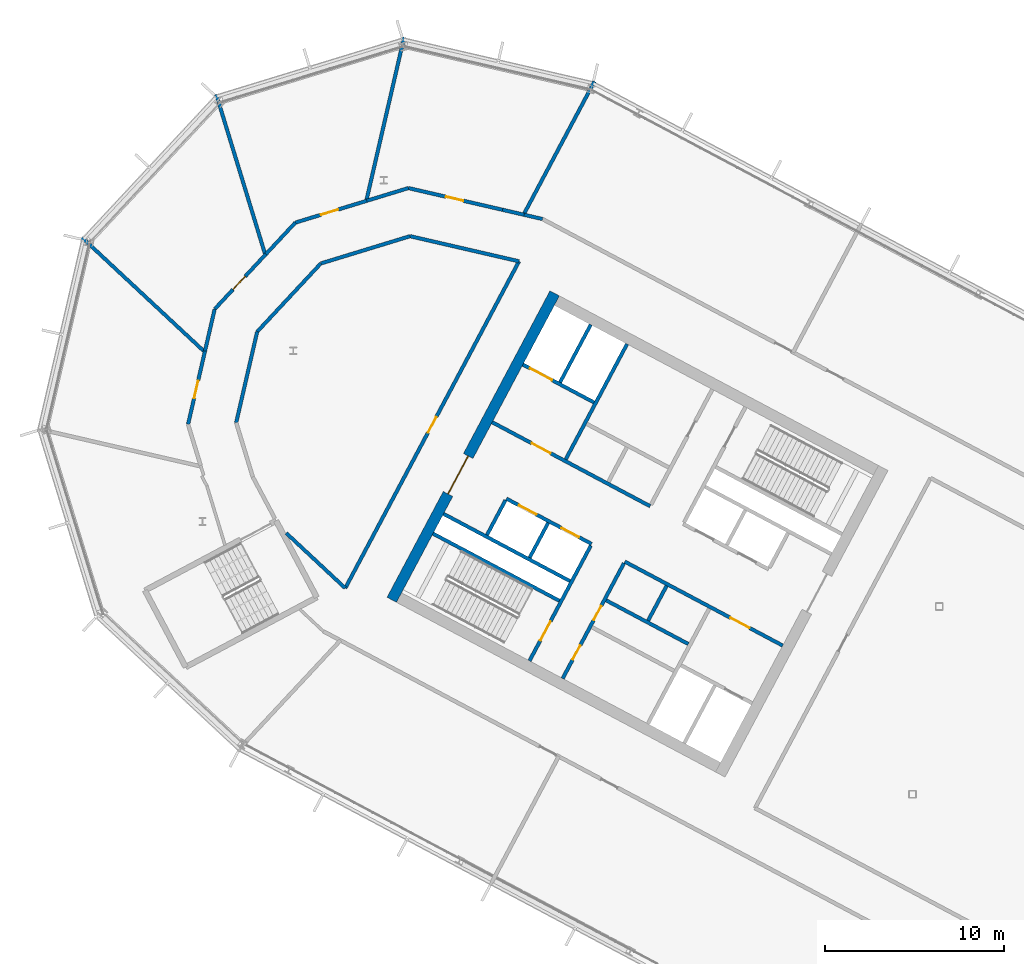
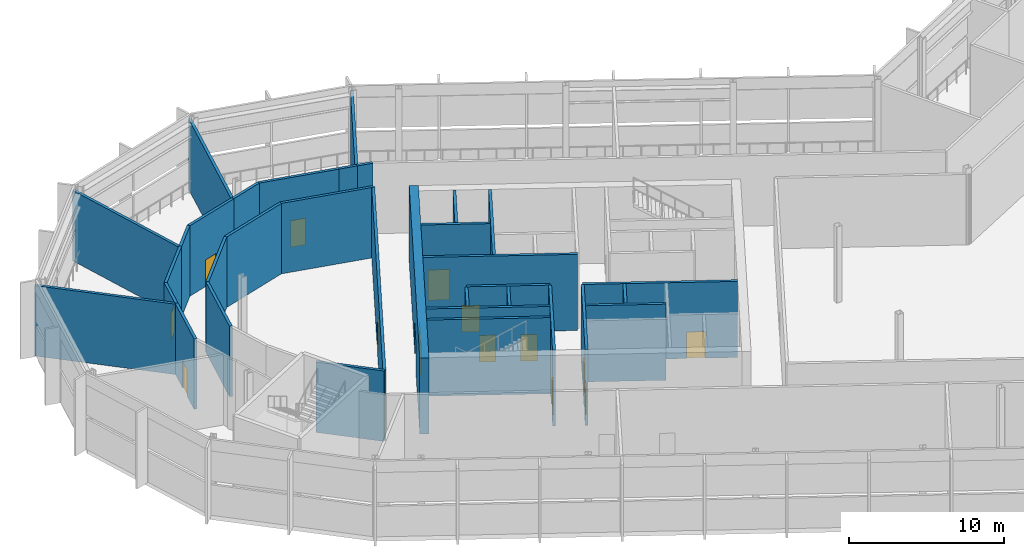
# One storey, part 15 of 33: 34 walls, 14 doors, 14 openings.
"""IFC4 building model written with IfcOpenShell, lengths in metres."""

from ifc_helpers import new_model, si_unit, direction, frame, frame_2d, origin, place, context, subcontext, project, spatial, rectangle, extrude, material, layer, layer_set, type_object, element, fill, save


model = new_model("IFC4")

# Units and contexts
model_context = context("Model", 3, precision=1e-05, world=origin(), true_north=direction((0.0, 1.0)))
body_context = subcontext(model_context, "Body", "Model", "MODEL_VIEW")
ifc_project = project(units=[si_unit("LENGTHUNIT", "METRE"), si_unit("AREAUNIT", "SQUARE_METRE"), si_unit("VOLUMEUNIT", "CUBIC_METRE"), si_unit("PLANEANGLEUNIT", "RADIAN"), si_unit("MASSUNIT", "GRAM", prefix="KILO")], contexts=[model_context])

# Site, building, storey
site_placement = place(None, origin())
site = spatial("IfcSite", under=ifc_project, at=site_placement, CompositionType="ELEMENT")
building_placement = place(site_placement, origin())
building = spatial("IfcBuilding", under=site, at=building_placement, Name="Cormorant Relay Tower", CompositionType="ELEMENT")
storey_placement = place(building_placement, frame((0.0, 0.0, 252.0)))
storey = spatial("IfcBuildingStorey", under=building, at=storey_placement, Name="L56", CompositionType="ELEMENT", Elevation=252.0)

# Walls
ifc_material_1 = material(Name="Concrete 40 MPa", Category="concrete")
ifc_layer_1 = layer(ifc_material_1, 0.199951171875)
ifc_layer_set_1 = layer_set([ifc_layer_1], Name="Core internal wall 200")
wall_type_1 = type_object("IfcWallType", Name="Core internal wall 200", PredefinedType="SOLIDWALL", material=ifc_layer_set_1)
for number, where, z_axis, x_axis, name in (
    (1, (-25.744140625, 11.64990234375, 0.0), (0.0, 0.0, 1.0), (-0.469487830541, -0.882938942948, 0.0), "L56 core A shaft and room wall"),
    (2, (-32.3662109375, 15.1708984375, 0.0), (0.0, 0.0, 1.0), (-0.469487830541, -0.882938942948, 0.0), "L56 core A shaft and room wall"),
):
    element("IfcWall", number, at=place(storey_placement, frame(where, z_axis=z_axis, x_axis=x_axis)), inside=storey, type_object=wall_type_1, Name=name, PredefinedType="SOLIDWALL", context=body_context, shape_type="SweptSolid", body=[
        extrude(rectangle(XDim=2.2001953125, YDim=0.199951171875, at=frame_2d((1.10009765625, 0.0))), origin(), (0.0, 0.0, 1.0), 6.0),
    ])

# Wall, openings, doors
ifc_material_2 = material(Name="Concrete 50 MPa", Category="concrete")
ifc_layer_2 = layer(ifc_material_2, 0.199951171875)
ifc_layer_set_2 = layer_set([ifc_layer_2], Name="Core shaft wall 200")
wall_type_2 = type_object("IfcWallType", Name="Core shaft wall 200", PredefinedType="SHEAR", material=ifc_layer_set_2)
wall_1_placement = place(storey_placement, frame((-28.128173828125, 12.91748046875, 0.0), z_axis=(0.0, 0.0, 1.0), x_axis=(-0.469454336211, -0.882956752176, 0.0)))
wall_1 = element("IfcWall", 3, at=wall_1_placement, inside=storey, type_object=wall_type_2, Name="L56 core A shaft wall", PredefinedType="SHEAR", context=body_context, shape_type="SweptSolid", body=[
    extrude(rectangle(XDim=7.300048828125, YDim=0.199951171875, at=frame_2d((3.64990234375, 0.0))), origin(), (0.0, 0.0, 1.0), 6.0),
])
opening_1_placement = place(wall_1_placement, frame((2.699951171875, 0.0, 0.0)))
opening_1 = element("IfcOpeningElement", 4, at=opening_1_placement, cuts=wall_1, Name="Opening CDD-307", PredefinedType="OPENING", context=body_context, shape_type="SweptSolid", body=[
    extrude(rectangle(XDim=0.89990234375, YDim=2.10009765625, at=frame_2d((0.449951171875, 1.050048828125))), frame((0.0, 0.10986328125, 0.0), z_axis=(0.0, -1.0, 0.0), x_axis=(1.0, 0.0, 0.0)), (0.0, 0.0, 1.0), 0.219970703125),
])
opening_2_placement = place(wall_1_placement, frame((5.199951171875, 0.0, 0.0)))
opening_2 = element("IfcOpeningElement", 5, at=opening_2_placement, cuts=wall_1, Name="Opening CDD-308", PredefinedType="OPENING", context=body_context, shape_type="SweptSolid", body=[
    extrude(rectangle(XDim=0.89990234375, YDim=2.10009765625, at=frame_2d((0.449951171875, 1.050048828125))), frame((0.0, 0.10986328125, 0.0), z_axis=(0.0, -1.0, 0.0), x_axis=(1.0, 0.0, 0.0)), (0.0, 0.0, 1.0), 0.219970703125),
])
ifc_material_3 = material(Name="Steel fire door", Category="steel")
door_type_1 = type_object("IfcDoorType", Name="Core room door 900x2100", OperationType="SINGLE_SWING_LEFT", PredefinedType="DOOR", material=ifc_material_3)
door_1_placement = place(opening_1_placement, origin())
door_1 = element("IfcDoor", 6, at=door_1_placement, inside=storey, type_object=door_type_1, Name="Core room door 900x2100", OperationType="SINGLE_SWING_LEFT", OverallHeight=2.10009765625, OverallWidth=0.89990234375, PredefinedType="DOOR", context=body_context, shape_type="SweptSolid", body=[
    extrude(rectangle(XDim=0.89990234375, YDim=2.10009765625, at=frame_2d((0.449951171875, 1.050048828125))), frame((0.0, 0.02490234375, 0.0), z_axis=(0.0, -1.0, 0.0), x_axis=(1.0, 0.0, 0.0)), (0.0, 0.0, 1.0), 0.050048828125),
])
fill(opening_1, door_1)
door_2_placement = place(opening_2_placement, origin())
door_2 = element("IfcDoor", 7, at=door_2_placement, inside=storey, type_object=door_type_1, Name="Core room door 900x2100", OperationType="SINGLE_SWING_LEFT", OverallHeight=2.10009765625, OverallWidth=0.89990234375, PredefinedType="DOOR", context=body_context, shape_type="SweptSolid", body=[
    extrude(rectangle(XDim=0.89990234375, YDim=2.10009765625, at=frame_2d((0.449951171875, 1.050048828125))), frame((0.0, 0.02490234375, 0.0), z_axis=(0.0, -1.0, 0.0), x_axis=(1.0, 0.0, 0.0)), (0.0, 0.0, 1.0), 0.050048828125),
])
fill(opening_2, door_2)

# Wall, opening, door
wall_2_placement = place(storey_placement, frame((-29.982421875, 13.9033203125, 0.0), z_axis=(0.0, 0.0, 1.0), x_axis=(-0.469454336211, -0.882956752176, 0.0)))
wall_2 = element("IfcWall", 8, at=wall_2_placement, inside=storey, type_object=wall_type_2, Name="L56 core A shaft wall", PredefinedType="SHEAR", context=body_context, shape_type="SweptSolid", body=[
    extrude(rectangle(XDim=7.300048828125, YDim=0.199951171875, at=frame_2d((3.64990234375, 0.0))), origin(), (0.0, 0.0, 1.0), 6.0),
])
opening_3_placement = place(wall_2_placement, frame((4.800048828125, 0.0, 0.0)))
opening_3 = element("IfcOpeningElement", 9, at=opening_3_placement, cuts=wall_2, Name="Opening CDB-030", PredefinedType="OPENING", context=body_context, shape_type="SweptSolid", body=[
    extrude(rectangle(XDim=1.199951171875, YDim=2.10009765625, at=frame_2d((0.60009765625, 1.050048828125))), frame((0.0, 0.10986328125, 0.0), z_axis=(0.0, -1.0, 0.0), x_axis=(1.0, 0.0, 0.0)), (0.0, 0.0, 1.0), 0.219970703125),
])
ifc_material_4 = material(Name="Steel fire door", Category="steel")
door_type_2 = type_object("IfcDoorType", Name="Core stair door 1200x2100", OperationType="SINGLE_SWING_LEFT", PredefinedType="DOOR", material=ifc_material_4)
door_3_placement = place(opening_3_placement, frame((1.199951171875, 0.0, 0.0), z_axis=(0.0, 0.0, 1.0), x_axis=(-1.0, 0.0, 0.0)))
door_3 = element("IfcDoor", 10, at=door_3_placement, inside=storey, type_object=door_type_2, Name="Core stair door 1200x2100", OperationType="SINGLE_SWING_RIGHT", OverallHeight=2.10009765625, OverallWidth=1.199951171875, PredefinedType="DOOR", context=body_context, shape_type="SweptSolid", body=[
    extrude(rectangle(XDim=1.199951171875, YDim=2.10009765625, at=frame_2d((0.60009765625, 1.050048828125))), frame((0.0, 0.02490234375, 0.0), z_axis=(0.0, -1.0, 0.0), x_axis=(1.0, 0.0, 0.0)), (0.0, 0.0, 1.0), 0.050048828125),
])
fill(opening_3, door_3)

# Walls
wall_3_placement = place(storey_placement, frame((-27.955322265625, 25.170654296875, 0.0), z_axis=(0.0, 0.0, 1.0), x_axis=(-0.469480409012, -0.88294288918, 0.0)))
element("IfcWall", 11, at=wall_3_placement, inside=storey, type_object=wall_type_2, Name="L56 core A shaft wall", PredefinedType="SHEAR", context=body_context, shape_type="SweptSolid", body=[
    extrude(rectangle(XDim=7.300048828125, YDim=0.199951171875, at=frame_2d((3.64990234375, 0.0))), origin(), (0.0, 0.0, 1.0), 6.0),
])
wall_4_placement = place(storey_placement, frame((-34.750244140625, 16.4384765625, 0.0), z_axis=(0.0, 0.0, 1.0), x_axis=(-0.469401318492, -0.882984938828, 0.0)))
element("IfcWall", 12, at=wall_4_placement, inside=storey, type_object=wall_type_2, Name="L56 core A shaft wall", PredefinedType="SHEAR", context=body_context, shape_type="SweptSolid", body=[
    extrude(rectangle(XDim=2.199951171875, YDim=0.199951171875, at=frame_2d((1.10009765625, 0.0))), origin(), (0.0, 0.0, 1.0), 6.0),
])
wall_5_placement = place(storey_placement, frame((-29.986083984375, 26.250244140625, 0.0), z_axis=(0.0, 0.0, 1.0), x_axis=(-0.469494272526, -0.882935517501, 0.0)))
element("IfcWall", 13, at=wall_5_placement, inside=storey, type_object=wall_type_2, Name="L56 core A shaft wall", PredefinedType="SHEAR", context=body_context, shape_type="SweptSolid", body=[
    extrude(rectangle(XDim=3.64990234375, YDim=0.199951171875, at=frame_2d((1.824951171875, 0.0))), origin(), (0.0, 0.0, 1.0), 6.0),
])

# Wall, opening, door
wall_6_placement = place(storey_placement, frame((-29.80419921875, 21.906494140625, 0.0), z_axis=(0.0, 0.0, 1.0), x_axis=(-0.882960433586, 0.469447412093, 0.0)))
wall_6 = element("IfcWall", 14, at=wall_6_placement, inside=storey, type_object=wall_type_2, Name="L56 core A shaft wall", PredefinedType="SHEAR", context=body_context, shape_type="SweptSolid", body=[
    extrude(rectangle(XDim=4.5, YDim=0.199951171875, at=frame_2d((2.25, 0.0))), origin(), (0.0, 0.0, 1.0), 6.0),
])
opening_4_placement = place(wall_6_placement, frame((2.64990234375, 0.0, 0.0)))
opening_4 = element("IfcOpeningElement", 15, at=opening_4_placement, cuts=wall_6, Name="Opening LD3-011", PredefinedType="OPENING", context=body_context, shape_type="SweptSolid", body=[
    extrude(rectangle(XDim=1.39990234375, YDim=2.39990234375, at=frame_2d((0.699951171875, 1.199951171875))), frame((0.0, 0.10986328125, 0.0), z_axis=(0.0, -1.0, 0.0), x_axis=(1.0, 0.0, 0.0)), (0.0, 0.0, 1.0), 0.219970703125),
])
ifc_material_5 = material(Name="Stainless steel 316", Category="steel")
door_type_3 = type_object("IfcDoorType", Name="Lift landing door 1400x2400", OperationType="DOUBLE_DOOR_SLIDING", PredefinedType="DOOR", material=ifc_material_5)
door_4_placement = place(opening_4_placement, origin())
door_4 = element("IfcDoor", 16, at=door_4_placement, inside=storey, type_object=door_type_3, Name="SV1 landing door", OperationType="DOUBLE_DOOR_SLIDING", OverallHeight=2.39990234375, OverallWidth=1.39990234375, PredefinedType="DOOR", context=body_context, shape_type="SweptSolid", body=[
    extrude(rectangle(XDim=1.39990234375, YDim=2.39990234375, at=frame_2d((0.699951171875, 1.199951171875))), frame((0.0, 0.02490234375, 0.0), z_axis=(0.0, -1.0, 0.0), x_axis=(1.0, 0.0, 0.0)), (0.0, 0.0, 1.0), 0.050048828125),
])
fill(opening_4, door_4)

wall_7_placement = place(storey_placement, frame((-26.66162109375, 16.1015625, 0.0), z_axis=(0.0, 0.0, 1.0), x_axis=(-0.882940221191, 0.469485426614, 0.0)))
wall_7 = element("IfcWall", 17, at=wall_7_placement, inside=storey, type_object=wall_type_2, Name="L56 core A shaft wall", PredefinedType="SHEAR", context=body_context, shape_type="SweptSolid", body=[
    extrude(rectangle(XDim=10.0, YDim=0.199951171875, at=frame_2d((5.0, 0.0))), origin(), (0.0, 0.0, 1.0), 6.0),
])
opening_5_placement = place(wall_7_placement, frame((6.300048828125, 0.0, 0.0)))
opening_5 = element("IfcOpeningElement", 18, at=opening_5_placement, cuts=wall_7, Name="Opening CDC-022", PredefinedType="OPENING", context=body_context, shape_type="SweptSolid", body=[
    extrude(rectangle(XDim=1.199951171875, YDim=2.10009765625, at=frame_2d((0.60009765625, 1.050048828125))), frame((0.0, 0.10986328125, 0.0), z_axis=(0.0, -1.0, 0.0), x_axis=(1.0, 0.0, 0.0)), (0.0, 0.0, 1.0), 0.219970703125),
])
ifc_material_6 = material(Name="Steel fire door", Category="steel")
door_type_4 = type_object("IfcDoorType", Name="Core lobby door 1200x2100", OperationType="SINGLE_SWING_LEFT", PredefinedType="DOOR", material=ifc_material_6)
door_5_placement = place(opening_5_placement, origin())
door_5 = element("IfcDoor", 19, at=door_5_placement, inside=storey, type_object=door_type_4, Name="Core lobby door 1200x2100", OperationType="SINGLE_SWING_LEFT", OverallHeight=2.10009765625, OverallWidth=1.199951171875, PredefinedType="DOOR", context=body_context, shape_type="SweptSolid", body=[
    extrude(rectangle(XDim=1.199951171875, YDim=2.10009765625, at=frame_2d((0.60009765625, 1.050048828125))), frame((0.0, 0.02490234375, 0.0), z_axis=(0.0, -1.0, 0.0), x_axis=(1.0, 0.0, 0.0)), (0.0, 0.0, 1.0), 0.050048828125),
])
fill(opening_5, door_5)

wall_8_placement = place(storey_placement, frame((-19.251708984375, 8.31103515625, 0.0), z_axis=(0.0, 0.0, 1.0), x_axis=(-0.882955722218, 0.469456273365, 0.0)))
wall_8 = element("IfcWall", 20, at=wall_8_placement, inside=storey, type_object=wall_type_2, Name="L56 core A shaft wall", PredefinedType="SHEAR", context=body_context, shape_type="SweptSolid", body=[
    extrude(rectangle(XDim=10.0, YDim=0.199951171875, at=frame_2d((5.0, 0.0))), origin(), (0.0, 0.0, 1.0), 6.0),
])
opening_6_placement = place(wall_8_placement, frame((2.10009765625, 0.0, 0.0)))
opening_6 = element("IfcOpeningElement", 21, at=opening_6_placement, cuts=wall_8, Name="Opening CDC-021", PredefinedType="OPENING", context=body_context, shape_type="SweptSolid", body=[
    extrude(rectangle(XDim=1.199951171875, YDim=2.10009765625, at=frame_2d((0.60009765625, 1.050048828125))), frame((0.0, 0.10986328125, 0.0), z_axis=(0.0, -1.0, 0.0), x_axis=(1.0, 0.0, 0.0)), (0.0, 0.0, 1.0), 0.219970703125),
])
door_6_placement = place(opening_6_placement, origin())
door_6 = element("IfcDoor", 22, at=door_6_placement, inside=storey, type_object=door_type_4, Name="Core lobby door 1200x2100", OperationType="SINGLE_SWING_RIGHT", OverallHeight=2.10009765625, OverallWidth=1.199951171875, PredefinedType="DOOR", context=body_context, shape_type="SweptSolid", body=[
    extrude(rectangle(XDim=1.199951171875, YDim=2.10009765625, at=frame_2d((0.60009765625, 1.050048828125))), frame((0.0, 0.02490234375, 0.0), z_axis=(0.0, -1.0, 0.0), x_axis=(1.0, 0.0, 0.0)), (0.0, 0.0, 1.0), 0.050048828125),
])
fill(opening_6, door_6)

# Wall, openings, doors
wall_9_placement = place(storey_placement, frame((-29.935302734375, 13.991455078125, 0.0), z_axis=(0.0, 0.0, 1.0), x_axis=(-0.882952937579, 0.469461510692, 0.0)))
wall_9 = element("IfcWall", 23, at=wall_9_placement, inside=storey, type_object=wall_type_2, Name="L56 core A shaft wall", PredefinedType="SHEAR", context=body_context, shape_type="SweptSolid", body=[
    extrude(rectangle(XDim=5.400146484375, YDim=0.199951171875, at=frame_2d((2.7001953125, 0.0))), origin(), (0.0, 0.0, 1.0), 6.0),
])
opening_7_placement = place(wall_9_placement, frame((0.800048828125, 0.0, 0.0)))
opening_7 = element("IfcOpeningElement", 24, at=opening_7_placement, cuts=wall_9, Name="Opening LD1-055", PredefinedType="OPENING", context=body_context, shape_type="SweptSolid", body=[
    extrude(rectangle(XDim=1.10009765625, YDim=2.10009765625, at=frame_2d((0.550048828125, 1.050048828125))), frame((0.0, 0.10986328125, 0.0), z_axis=(0.0, -1.0, 0.0), x_axis=(1.0, 0.0, 0.0)), (0.0, 0.0, 1.0), 0.219970703125),
])
opening_8_placement = place(wall_9_placement, frame((3.5, 0.0, 0.0)))
opening_8 = element("IfcOpeningElement", 25, at=opening_8_placement, cuts=wall_9, Name="Opening LD1-056", PredefinedType="OPENING", context=body_context, shape_type="SweptSolid", body=[
    extrude(rectangle(XDim=1.10009765625, YDim=2.10009765625, at=frame_2d((0.550048828125, 1.050048828125))), frame((0.0, 0.10986328125, 0.0), z_axis=(0.0, -1.0, 0.0), x_axis=(1.0, 0.0, 0.0)), (0.0, 0.0, 1.0), 0.219970703125),
])
ifc_material_7 = material(Name="Stainless steel 316", Category="steel")
door_type_5 = type_object("IfcDoorType", Name="Lift landing door 1100x2100", OperationType="DOUBLE_DOOR_SLIDING", PredefinedType="DOOR", material=ifc_material_7)
door_7_placement = place(opening_7_placement, origin())
door_7 = element("IfcDoor", 26, at=door_7_placement, inside=storey, type_object=door_type_5, Name="MR1 landing door", OperationType="DOUBLE_DOOR_SLIDING", OverallHeight=2.10009765625, OverallWidth=1.10009765625, PredefinedType="DOOR", context=body_context, shape_type="SweptSolid", body=[
    extrude(rectangle(XDim=1.10009765625, YDim=2.10009765625, at=frame_2d((0.550048828125, 1.050048828125))), frame((0.0, 0.02490234375, 0.0), z_axis=(0.0, -1.0, 0.0), x_axis=(1.0, 0.0, 0.0)), (0.0, 0.0, 1.0), 0.050048828125),
])
fill(opening_7, door_7)
door_8_placement = place(opening_8_placement, origin())
door_8 = element("IfcDoor", 27, at=door_8_placement, inside=storey, type_object=door_type_5, Name="MR2 landing door", OperationType="DOUBLE_DOOR_SLIDING", OverallHeight=2.10009765625, OverallWidth=1.10009765625, PredefinedType="DOOR", context=body_context, shape_type="SweptSolid", body=[
    extrude(rectangle(XDim=1.10009765625, YDim=2.10009765625, at=frame_2d((0.550048828125, 1.050048828125))), frame((0.0, 0.02490234375, 0.0), z_axis=(0.0, -1.0, 0.0), x_axis=(1.0, 0.0, 0.0)), (0.0, 0.0, 1.0), 0.050048828125),
])
fill(opening_8, door_8)

# Walls
wall_10_placement = place(storey_placement, frame((-24.5283203125, 8.3984375, 0.0), z_axis=(0.0, 0.0, 1.0), x_axis=(-0.882953967957, 0.469459572775, 0.0)))
element("IfcWall", 28, at=wall_10_placement, inside=storey, type_object=wall_type_2, Name="L56 core A shaft wall", PredefinedType="SHEAR", context=body_context, shape_type="SweptSolid", body=[
    extrude(rectangle(XDim=5.199951171875, YDim=0.199951171875, at=frame_2d((2.60009765625, 0.0))), origin(), (0.0, 0.0, 1.0), 6.0),
])
for number, where, z_axis, x_axis, name in (
    (29, (-31.150390625, 11.91943359375, 0.0), (0.0, 0.0, 1.0), (-0.882940221191, 0.469485426614, 0.0), "L56 core A shaft wall"),
    (30, (-31.7373046875, 10.815673828125, 0.0), (0.0, 0.0, 1.0), (-0.882940221191, 0.469485426614, 0.0), "L56 core A shaft wall"),
):
    element("IfcWall", number, at=place(storey_placement, frame(where, z_axis=z_axis, x_axis=x_axis)), inside=storey, type_object=wall_type_2, Name=name, PredefinedType="SHEAR", context=body_context, shape_type="SweptSolid", body=[
        extrude(rectangle(XDim=8.0, YDim=0.199951171875, at=frame_2d((4.0, 0.0))), origin(), (0.0, 0.0, 1.0), 6.0),
    ])

# Wall, opening, door
ifc_material_8 = material(Name="Concrete 50 MPa", Category="concrete")
ifc_layer_3 = layer(ifc_material_8, 0.60009765625)
ifc_layer_set_3 = layer_set([ifc_layer_3], Name="Core wall 600")
wall_type_3 = type_object("IfcWallType", Name="Core wall 600", PredefinedType="SHEAR", material=ifc_layer_set_3)
wall_11_placement = place(storey_placement, frame((-32.000244140625, 28.000732421875, 0.0), z_axis=(0.0, 0.0, 1.0), x_axis=(-0.469468958625, -0.882948977511, 0.0)))
wall_11 = element("IfcWall", 31, at=wall_11_placement, inside=storey, type_object=wall_type_3, Name="L56 core A wall", PredefinedType="SHEAR", context=body_context, shape_type="SweptSolid", body=[
    extrude(rectangle(XDim=19.39990234375, YDim=0.60009765625, at=frame_2d((9.699951171875, 0.0))), origin(), (0.0, 0.0, 1.0), 6.0),
])
opening_9_placement = place(wall_11_placement, frame((10.300048828125, 0.0, 0.0)))
opening_9 = element("IfcOpeningElement", 32, at=opening_9_placement, cuts=wall_11, Name="Opening CDA-047", PredefinedType="OPENING", context=body_context, shape_type="SweptSolid", body=[
    extrude(rectangle(XDim=2.39990234375, YDim=2.39990234375, at=frame_2d((1.199951171875, 1.199951171875))), frame((0.0, 0.31005859375, 0.0), z_axis=(0.0, -1.0, 0.0), x_axis=(1.0, 0.0, 0.0)), (0.0, 0.0, 1.0), 0.6201171875),
])
ifc_material_9 = material(Name="Steel fire door", Category="steel")
door_type_6 = type_object("IfcDoorType", Name="Core lobby door 2400x2400", OperationType="DOUBLE_DOOR_SINGLE_SWING", PredefinedType="DOOR", material=ifc_material_9)
door_9_placement = place(opening_9_placement, origin())
door_9 = element("IfcDoor", 33, at=door_9_placement, inside=storey, type_object=door_type_6, Name="Core lobby door 2400x2400", OperationType="DOUBLE_DOOR_SINGLE_SWING", OverallHeight=2.39990234375, OverallWidth=2.39990234375, PredefinedType="DOOR", context=body_context, shape_type="SweptSolid", body=[
    extrude(rectangle(XDim=2.39990234375, YDim=2.39990234375, at=frame_2d((1.199951171875, 1.199951171875))), frame((0.0, 0.02490234375, 0.0), z_axis=(0.0, -1.0, 0.0), x_axis=(1.0, 0.0, 0.0)), (0.0, 0.0, 1.0), 0.050048828125),
])
fill(opening_9, door_9)

# Wall
ifc_material_10 = material(Name="Fire-rated gypsum board partition")
ifc_layer_4 = layer(ifc_material_10, 0.199951171875)
ifc_layer_set_4 = layer_set([ifc_layer_4], Name="Fire-rated gypsum partition 200")
wall_type_4 = type_object("IfcWallType", Name="Fire-rated gypsum partition 200", PredefinedType="PARTITIONING", material=ifc_layer_set_4)
wall_12_placement = place(storey_placement, frame((-58.427001953125, 31.125, 0.0), z_axis=(0.0, 0.0, 1.0), x_axis=(0.731446083693, -0.681899278963, 0.0)))
element("IfcWall", 34, at=wall_12_placement, inside=storey, type_object=wall_type_4, Name="wall/L56/part/2", PredefinedType="PARTITIONING", context=body_context, shape_type="SweptSolid", body=[
    extrude(rectangle(XDim=9.38671875, YDim=0.199951171875, at=frame_2d((4.693359375, 0.0))), origin(), (0.0, 0.0, 1.0), 5.550048828125),
])

# Wall, opening, door
wall_13_placement = place(storey_placement, frame((-51.548095703125, 24.779052734375, 0.0), z_axis=(0.0, 0.0, 1.0), x_axis=(-0.224876464395, -0.974387282225, 0.0)))
wall_13 = element("IfcWall", 35, at=wall_13_placement, inside=storey, type_object=wall_type_4, Name="wall/L56/part/3", PredefinedType="PARTITIONING", context=body_context, shape_type="SweptSolid", body=[
    extrude(rectangle(XDim=4.205810546875, YDim=0.199951171875, at=frame_2d((2.10302734375, 0.0))), origin(), (0.0, 0.0, 1.0), 5.550048828125),
])
opening_10_placement = place(wall_13_placement, frame((1.705078125, 0.0, 0.0)))
opening_10 = element("IfcOpeningElement", 36, at=opening_10_placement, cuts=wall_13, Name="Opening FD1-181", PredefinedType="OPENING", context=body_context, shape_type="SweptSolid", body=[
    extrude(rectangle(XDim=1.0, YDim=2.10009765625, at=frame_2d((0.5, 1.050048828125))), frame((0.0, 0.10986328125, 0.0), z_axis=(0.0, -1.0, 0.0), x_axis=(1.0, 0.0, 0.0)), (0.0, 0.0, 1.0), 0.219970703125),
])
ifc_material_11 = material(Name="Fire-rated steel door", Category="steel")
door_type_7 = type_object("IfcDoorType", Name="Fire door 1000 x 2100", OperationType="SINGLE_SWING_LEFT", PredefinedType="DOOR", material=ifc_material_11)
door_10_placement = place(opening_10_placement, frame((1.0, 0.0, 0.0), z_axis=(0.0, 0.0, 1.0), x_axis=(-1.0, 0.0, 0.0)))
door_10 = element("IfcDoor", 37, at=door_10_placement, inside=storey, type_object=door_type_7, Name="door/L56/13", OperationType="SINGLE_SWING_RIGHT", OverallHeight=2.10009765625, OverallWidth=1.0, PredefinedType="DOOR", context=body_context, shape_type="SweptSolid", body=[
    extrude(rectangle(XDim=1.0, YDim=2.10009765625, at=frame_2d((0.5, 1.050048828125))), frame((0.0, 0.02490234375, 0.0), z_axis=(0.0, -1.0, 0.0), x_axis=(1.0, 0.0, 0.0)), (0.0, 0.0, 1.0), 0.050048828125),
])
fill(opening_10, door_10)

wall_14_placement = place(storey_placement, frame((-48.138916015625, 30.197998046875, 0.0), z_axis=(0.0, 0.0, 1.0), x_axis=(-0.681859031146, -0.731483603127, 0.0)))
wall_14 = element("IfcWall", 38, at=wall_14_placement, inside=storey, type_object=wall_type_4, Name="wall/L56/part/8", PredefinedType="PARTITIONING", context=body_context, shape_type="SweptSolid", body=[
    extrude(rectangle(XDim=4.206298828125, YDim=0.199951171875, at=frame_2d((2.10302734375, 0.0))), origin(), (0.0, 0.0, 1.0), 5.550048828125),
])
opening_11_placement = place(wall_14_placement, frame((1.705078125, 0.0, 0.0)))
opening_11 = element("IfcOpeningElement", 39, at=opening_11_placement, cuts=wall_14, Name="Opening FD1-180", PredefinedType="OPENING", context=body_context, shape_type="SweptSolid", body=[
    extrude(rectangle(XDim=1.0, YDim=2.10009765625, at=frame_2d((0.5, 1.050048828125))), frame((0.0, 0.10986328125, 0.0), z_axis=(0.0, -1.0, 0.0), x_axis=(1.0, 0.0, 0.0)), (0.0, 0.0, 1.0), 0.219970703125),
])
door_11_placement = place(opening_11_placement, frame((1.0, 0.0, 0.0), z_axis=(0.0, 0.0, 1.0), x_axis=(-1.0, 0.0, 0.0)))
door_11 = element("IfcDoor", 40, at=door_11_placement, inside=storey, type_object=door_type_7, Name="door/L56/12", OperationType="SINGLE_SWING_RIGHT", OverallHeight=2.10009765625, OverallWidth=1.0, PredefinedType="DOOR", context=body_context, shape_type="SweptSolid", body=[
    extrude(rectangle(XDim=1.0, YDim=2.10009765625, at=frame_2d((0.5, 1.050048828125))), frame((0.0, 0.02490234375, 0.0), z_axis=(0.0, -1.0, 0.0), x_axis=(1.0, 0.0, 0.0)), (0.0, 0.0, 1.0), 0.050048828125),
])
fill(opening_11, door_11)

# Walls
wall_15_placement = place(storey_placement, frame((-51.007080078125, 27.12109375, 0.0), z_axis=(0.0, 0.0, 1.0), x_axis=(-0.225074619895, -0.974341529177, 0.0)))
element("IfcWall", 41, at=wall_15_placement, inside=storey, type_object=wall_type_4, Name="wall/L56/part/9", PredefinedType="PARTITIONING", context=body_context, shape_type="SweptSolid", body=[
    extrude(rectangle(XDim=2.40380859375, YDim=0.199951171875, at=frame_2d((1.201904296875, 0.0))), origin(), (0.0, 0.0, 1.0), 5.550048828125),
])
wall_16_placement = place(storey_placement, frame((-50.922119140625, 39.133056640625, 0.0), z_axis=(0.0, 0.0, 1.0), x_axis=(0.292425999744, -0.956288154624, 0.0)))
element("IfcWall", 42, at=wall_16_placement, inside=storey, type_object=wall_type_4, Name="wall/L56/part/10", PredefinedType="PARTITIONING", context=body_context, shape_type="SweptSolid", body=[
    extrude(rectangle(XDim=9.387451171875, YDim=0.199951171875, at=frame_2d((4.69384765625, 0.0))), origin(), (0.0, 0.0, 1.0), 5.550048828125),
])

# Wall, opening, door
wall_17_placement = place(storey_placement, frame((-42.5, 33.177978515625, 0.0), z_axis=(0.0, 0.0, 1.0), x_axis=(-0.956286285355, -0.292432112536, 0.0)))
wall_17 = element("IfcWall", 43, at=wall_17_placement, inside=storey, type_object=wall_type_4, Name="wall/L56/part/13", PredefinedType="PARTITIONING", context=body_context, shape_type="SweptSolid", body=[
    extrude(rectangle(XDim=4.181884765625, YDim=0.199951171875, at=frame_2d((2.0908203125, 0.0))), origin(), (0.0, 0.0, 1.0), 5.550048828125),
])
opening_12_placement = place(wall_17_placement, frame((1.680908203125, 0.0, 0.0)))
opening_12 = element("IfcOpeningElement", 44, at=opening_12_placement, cuts=wall_17, Name="Opening FD1-179", PredefinedType="OPENING", context=body_context, shape_type="SweptSolid", body=[
    extrude(rectangle(XDim=1.0, YDim=2.10009765625, at=frame_2d((0.5, 1.050048828125))), frame((0.0, 0.10986328125, 0.0), z_axis=(0.0, -1.0, 0.0), x_axis=(1.0, 0.0, 0.0)), (0.0, 0.0, 1.0), 0.219970703125),
])
door_12_placement = place(opening_12_placement, frame((1.0, 0.0, 0.0), z_axis=(0.0, 0.0, 1.0), x_axis=(-1.0, 0.0, 0.0)))
door_12 = element("IfcDoor", 45, at=door_12_placement, inside=storey, type_object=door_type_7, Name="door/L56/11", OperationType="SINGLE_SWING_RIGHT", OverallHeight=2.10009765625, OverallWidth=1.0, PredefinedType="DOOR", context=body_context, shape_type="SweptSolid", body=[
    extrude(rectangle(XDim=1.0, YDim=2.10009765625, at=frame_2d((0.5, 1.050048828125))), frame((0.0, 0.02490234375, 0.0), z_axis=(0.0, -1.0, 0.0), x_axis=(1.0, 0.0, 0.0)), (0.0, 0.0, 1.0), 0.050048828125),
])
fill(opening_12, door_12)

# Walls
wall_18_placement = place(storey_placement, frame((-46.4990234375, 31.955078125, 0.0), z_axis=(0.0, 0.0, 1.0), x_axis=(-0.682307392652, -0.731065401953, 0.0)))
element("IfcWall", 46, at=wall_18_placement, inside=storey, type_object=wall_type_4, Name="wall/L56/part/14", PredefinedType="PARTITIONING", context=body_context, shape_type="SweptSolid", body=[
    extrude(rectangle(XDim=2.403564453125, YDim=0.199951171875, at=frame_2d((1.20166015625, 0.0))), origin(), (0.0, 0.0, 1.0), 5.550048828125),
])
wall_19_placement = place(storey_placement, frame((-49.803955078125, 20.77490234375, 0.0), z_axis=(0.0, 0.0, 1.0), x_axis=(0.224873181383, 0.974388039897, 0.0)))
element("IfcWall", 47, at=wall_19_placement, inside=storey, type_object=wall_type_4, Name="wall/L56/part/17", PredefinedType="PARTITIONING", context=body_context, shape_type="SweptSolid", body=[
    extrude(rectangle(XDim=5.215576171875, YDim=0.199951171875, at=frame_2d((2.60791015625, 0.0))), origin(), (0.0, 0.0, 1.0), 5.550048828125),
])
wall_20_placement = place(storey_placement, frame((-48.631103515625, 25.85693359375, 0.0), z_axis=(0.0, 0.0, 1.0), x_axis=(0.681944715531, 0.731403722277, 0.0)))
element("IfcWall", 48, at=wall_20_placement, inside=storey, type_object=wall_type_4, Name="wall/L56/part/18", PredefinedType="PARTITIONING", context=body_context, shape_type="SweptSolid", body=[
    extrude(rectangle(XDim=5.217529296875, YDim=0.199951171875, at=frame_2d((2.60888671875, 0.0))), origin(), (0.0, 0.0, 1.0), 5.550048828125),
])
wall_21_placement = place(storey_placement, frame((-45.072998046875, 29.673095703125, 0.0), z_axis=(0.0, 0.0, 1.0), x_axis=(0.9563257737, 0.292302949965, 0.0)))
element("IfcWall", 49, at=wall_21_placement, inside=storey, type_object=wall_type_4, Name="wall/L56/part/19", PredefinedType="PARTITIONING", context=body_context, shape_type="SweptSolid", body=[
    extrude(rectangle(XDim=5.216796875, YDim=0.199951171875, at=frame_2d((2.6083984375, 0.0))), origin(), (0.0, 0.0, 1.0), 5.550048828125),
])
wall_22_placement = place(storey_placement, frame((-40.083984375, 31.197998046875, 0.0), z_axis=(0.0, 0.0, 1.0), x_axis=(0.974378029488, -0.22491655264, 0.0)))
element("IfcWall", 50, at=wall_22_placement, inside=storey, type_object=wall_type_4, Name="wall/L56/part/20", PredefinedType="PARTITIONING", context=body_context, shape_type="SweptSolid", body=[
    extrude(rectangle(XDim=6.251220703125, YDim=0.199951171875, at=frame_2d((3.12548828125, 0.0))), origin(), (0.0, 0.0, 1.0), 5.550048828125),
])

# Wall, opening, door
wall_23_placement = place(storey_placement, frame((-33.992919921875, 29.7919921875, 0.0), z_axis=(0.0, 0.0, 1.0), x_axis=(-0.469462883155, -0.882952207846, 0.0)))
wall_23 = element("IfcWall", 51, at=wall_23_placement, inside=storey, type_object=wall_type_4, Name="wall/L56/part/21", PredefinedType="PARTITIONING", context=body_context, shape_type="SweptSolid", body=[
    extrude(rectangle(XDim=20.69189453125, YDim=0.199951171875, at=frame_2d((10.345947265625, 0.0))), origin(), (0.0, 0.0, 1.0), 5.550048828125),
])
opening_13_placement = place(wall_23_placement, frame((9.85009765625, 0.0, 0.0)))
opening_13 = element("IfcOpeningElement", 52, at=opening_13_placement, cuts=wall_23, Name="Opening FD1-177", PredefinedType="OPENING", context=body_context, shape_type="SweptSolid", body=[
    extrude(rectangle(XDim=1.0, YDim=2.10009765625, at=frame_2d((0.5, 1.050048828125))), frame((0.0, 0.10986328125, 0.0), z_axis=(0.0, -1.0, 0.0), x_axis=(1.0, 0.0, 0.0)), (0.0, 0.0, 1.0), 0.219970703125),
])
door_13_placement = place(opening_13_placement, frame((1.0, 0.0, 0.0), z_axis=(0.0, 0.0, 1.0), x_axis=(-1.0, 0.0, 0.0)))
door_13 = element("IfcDoor", 53, at=door_13_placement, inside=storey, type_object=door_type_7, Name="door/L56/1", OperationType="SINGLE_SWING_RIGHT", OverallHeight=2.10009765625, OverallWidth=1.0, PredefinedType="DOOR", context=body_context, shape_type="SweptSolid", body=[
    extrude(rectangle(XDim=1.0, YDim=2.10009765625, at=frame_2d((0.5, 1.050048828125))), frame((0.0, 0.02490234375, 0.0), z_axis=(0.0, -1.0, 0.0), x_axis=(1.0, 0.0, 0.0)), (0.0, 0.0, 1.0), 0.050048828125),
])
fill(opening_13, door_13)

# Walls
wall_24_placement = place(storey_placement, frame((-43.70703125, 11.52197265625, 0.0), z_axis=(0.0, 0.0, 1.0), x_axis=(-0.731174049231, 0.682190962803, 0.0)))
element("IfcWall", 54, at=wall_24_placement, inside=storey, type_object=wall_type_4, Name="wall/L56/part/22", PredefinedType="PARTITIONING", context=body_context, shape_type="SweptSolid", body=[
    extrude(rectangle(XDim=4.5107421875, YDim=0.199951171875, at=frame_2d((2.25537109375, 0.0))), origin(), (0.0, 0.0, 1.0), 5.550048828125),
])
wall_25_placement = place(storey_placement, frame((-40.4189453125, 42.31494140625, 0.0), z_axis=(0.0, 0.0, 1.0), x_axis=(-0.225005769503, -0.974357431177, 0.0)))
element("IfcWall", 55, at=wall_25_placement, inside=storey, type_object=wall_type_4, Name="wall/L56/part/25", PredefinedType="PARTITIONING", context=body_context, shape_type="SweptSolid", body=[
    extrude(rectangle(XDim=9.38671875, YDim=0.199951171875, at=frame_2d((4.693359375, 0.0))), origin(), (0.0, 0.0, 1.0), 5.550048828125),
])

# Wall, opening, door
wall_26_placement = place(storey_placement, frame((-34.912109375, 32.672119140625, 0.0), z_axis=(0.0, 0.0, 1.0), x_axis=(-0.974366064539, 0.224968380611, 0.0)))
wall_26 = element("IfcWall", 56, at=wall_26_placement, inside=storey, type_object=wall_type_4, Name="wall/L56/part/26", PredefinedType="PARTITIONING", context=body_context, shape_type="SweptSolid", body=[
    extrude(rectangle(XDim=5.404296875, YDim=0.199951171875, at=frame_2d((2.7021484375, 0.0))), origin(), (0.0, 0.0, 1.0), 5.550048828125),
])
opening_14_placement = place(wall_26_placement, frame((2.25, 0.0, 0.0)))
opening_14 = element("IfcOpeningElement", 57, at=opening_14_placement, cuts=wall_26, Name="Opening FD1-178", PredefinedType="OPENING", context=body_context, shape_type="SweptSolid", body=[
    extrude(rectangle(XDim=1.0, YDim=2.10009765625, at=frame_2d((0.5, 1.050048828125))), frame((0.0, 0.10986328125, 0.0), z_axis=(0.0, -1.0, 0.0), x_axis=(1.0, 0.0, 0.0)), (0.0, 0.0, 1.0), 0.219970703125),
])
door_14_placement = place(opening_14_placement, frame((1.0, 0.0, 0.0), z_axis=(0.0, 0.0, 1.0), x_axis=(-1.0, 0.0, 0.0)))
door_14 = element("IfcDoor", 58, at=door_14_placement, inside=storey, type_object=door_type_7, Name="door/L56/10", OperationType="SINGLE_SWING_RIGHT", OverallHeight=2.10009765625, OverallWidth=1.0, PredefinedType="DOOR", context=body_context, shape_type="SweptSolid", body=[
    extrude(rectangle(XDim=1.0, YDim=2.10009765625, at=frame_2d((0.5, 1.050048828125))), frame((0.0, 0.02490234375, 0.0), z_axis=(0.0, -1.0, 0.0), x_axis=(1.0, 0.0, 0.0)), (0.0, 0.0, 1.0), 0.050048828125),
])
fill(opening_14, door_14)

# Walls
wall_27_placement = place(storey_placement, frame((-40.177978515625, 33.887939453125, 0.0), z_axis=(0.0, 0.0, 1.0), x_axis=(-0.956299260122, -0.292389680205, 0.0)))
element("IfcWall", 59, at=wall_27_placement, inside=storey, type_object=wall_type_4, Name="wall/L56/part/27", PredefinedType="PARTITIONING", context=body_context, shape_type="SweptSolid", body=[
    extrude(rectangle(XDim=2.42822265625, YDim=0.199951171875, at=frame_2d((1.214111328125, 0.0))), origin(), (0.0, 0.0, 1.0), 5.550048828125),
])
wall_28_placement = place(storey_placement, frame((-34.912109375, 32.672119140625, 0.0), z_axis=(0.0, 0.0, 1.0), x_axis=(0.974301441447, -0.225248088102, 0.0)))
element("IfcWall", 60, at=wall_28_placement, inside=storey, type_object=wall_type_4, Name="wall/L56/part/29", PredefinedType="PARTITIONING", context=body_context, shape_type="SweptSolid", body=[
    extrude(rectangle(XDim=1.23876953125, YDim=0.199951171875, at=frame_2d((0.619384765625, 0.0))), origin(), (0.0, 0.0, 1.0), 5.550048828125),
])
wall_29_placement = place(storey_placement, frame((-29.779052734375, 39.845947265625, 0.0), z_axis=(0.0, 0.0, 1.0), x_axis=(-0.46950589154, -0.88292933908, 0.0)))
element("IfcWall", 61, at=wall_29_placement, inside=storey, type_object=wall_type_4, Name="wall/L56/part/30", PredefinedType="PARTITIONING", context=body_context, shape_type="SweptSolid", body=[
    extrude(rectangle(XDim=8.43212890625, YDim=0.199951171875, at=frame_2d((4.216064453125, 0.0))), origin(), (0.0, 0.0, 1.0), 5.550048828125),
])
wall_30_placement = place(storey_placement, frame((-32.681884765625, 32.156982421875, 0.0), z_axis=(0.0, 0.0, 1.0), x_axis=(-0.974399032113, 0.224825546183, 0.0)))
element("IfcWall", 62, at=wall_30_placement, inside=storey, type_object=wall_type_4, Name="wall/L56/part/31", PredefinedType="PARTITIONING", context=body_context, shape_type="SweptSolid", body=[
    extrude(rectangle(XDim=1.050048828125, YDim=0.199951171875, at=frame_2d((0.52490234375, 0.0))), origin(), (0.0, 0.0, 1.0), 5.550048828125),
])

save(model, "model.ifc")
